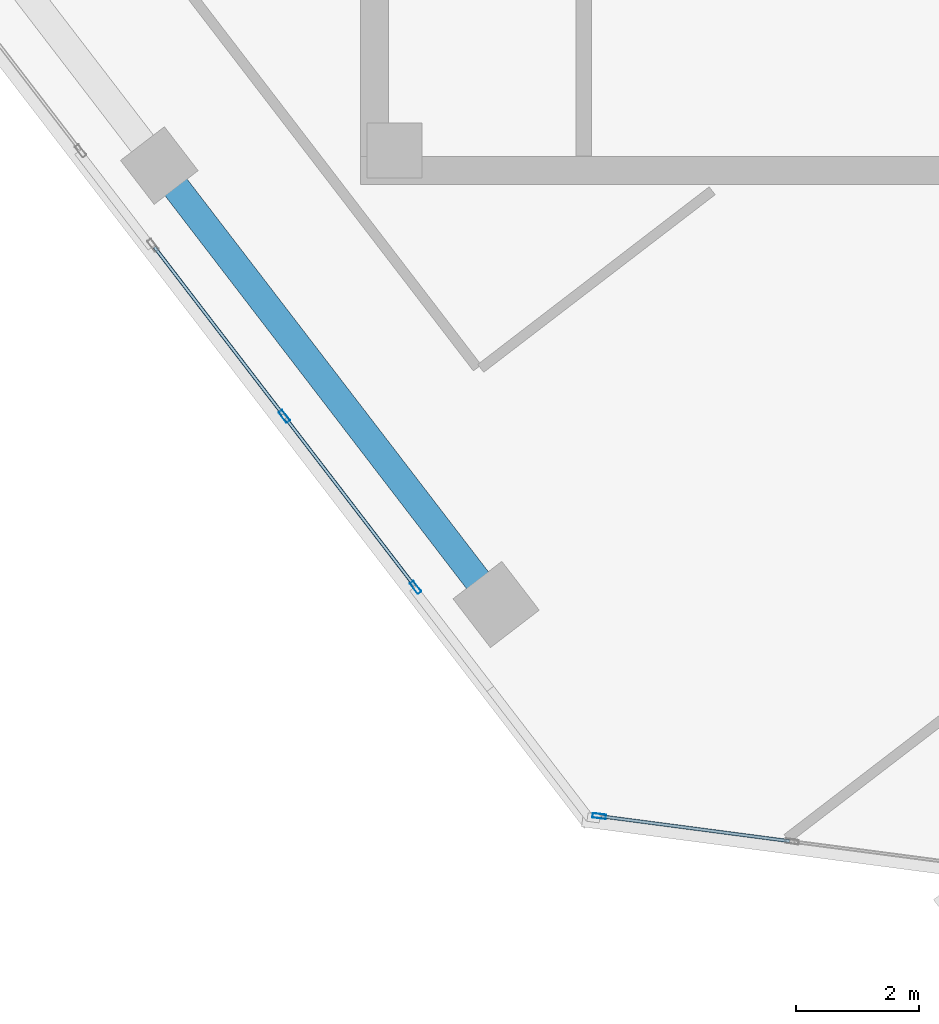
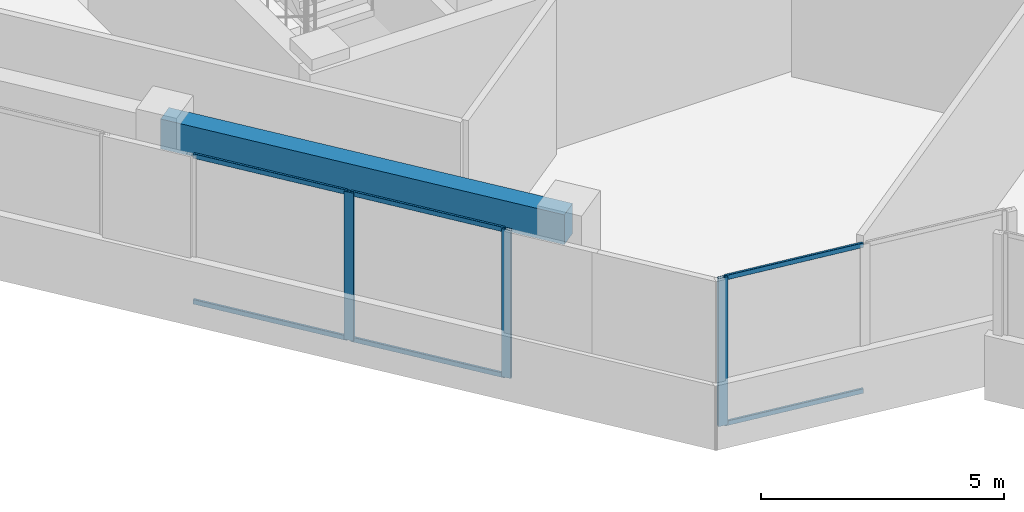
# One storey, part 2 of 17: 9 members, 1 beam, 2 elements without a shape of their own.
"""IFC4 building model written with IfcOpenShell, lengths in metres."""

from ifc_helpers import new_model, si_unit, direction, frame, origin, origin_2d, place, context, subcontext, project, spatial, rectangle, hollow_rectangle, extrude, source, transform, mapped, material, material_profile, profile_set, type_object, element, aggregate, save


model = new_model("IFC4")

# Units and contexts
model_context = context("Model", 3, precision=1e-05, world=origin(), true_north=direction((0.0, 1.0)))
body_context = subcontext(model_context, "Body", "Model", "MODEL_VIEW")
ifc_project = project(units=[si_unit("LENGTHUNIT", "METRE"), si_unit("AREAUNIT", "SQUARE_METRE"), si_unit("VOLUMEUNIT", "CUBIC_METRE"), si_unit("PLANEANGLEUNIT", "RADIAN"), si_unit("MASSUNIT", "GRAM", prefix="KILO")], contexts=[model_context])

# Site, building, storey
site_placement = place(None, origin())
site = spatial("IfcSite", under=ifc_project, at=site_placement, CompositionType="ELEMENT")
building_placement = place(site_placement, origin())
building = spatial("IfcBuilding", under=site, at=building_placement, Name="Torre Montelarca", CompositionType="ELEMENT")
storey_placement = place(building_placement, frame((0.0, 0.0, 283.60009765625)))
storey = spatial("IfcBuildingStorey", under=building, at=storey_placement, Name="L64", CompositionType="ELEMENT", Elevation=283.60009765625)

# Beam
ifc_material_1 = material(Name="Concrete C55/67", Category="concrete")
ifc_material_profile_1 = material_profile(ifc_material_1, rectangle(XDim=0.449951171875, YDim=0.75, at=origin_2d()), Name="RCB450X750", Category="concrete")
ifc_profile_set_1 = profile_set([ifc_material_profile_1], Name="Concrete C55/67")
beam_type = type_object("IfcBeamType", Name="BM-SP-RC750-EXT", PredefinedType="SPANDREL", material=ifc_profile_set_1)
shared_shape_1 = source(origin(), body_context, "Body", "SweptSolid", [
    extrude(rectangle(XDim=0.449951171875, YDim=0.75, at=origin_2d()), origin(), (0.0, 0.0, 1.0), 8.999755859375),
])
beam_placement = place(storey_placement, frame((5.7236328125, 24.305908203125, 3.544921875), z_axis=(0.608770345828, -0.793346498095, 0.0), x_axis=(0.793346498095, 0.608770345828, 0.0)))
element("IfcBeam", 1, at=beam_placement, inside=storey, type_object=beam_type, Name="L64 Grid Girder X 18.0-27.0 at Y=14.8", PredefinedType="SPANDREL", context=body_context, shape_type="MappedRepresentation", body=[
    mapped(shared_shape_1, transform((0.0, 0.0, 0.0), scale=1.0)),
])

# Curtain wall, members
ifc_material_2 = material(Name="Insulated low-E laminated glass", Category="glass")
curtain_wall_type = type_object("IfcCurtainWallType", Name="CW-SYS-Z3", PredefinedType="USERDEFINED", material=ifc_material_2)
curtain_wall_1_placement = place(storey_placement, origin())
curtain_wall_1 = element("IfcCurtainWall", 2, at=curtain_wall_1_placement, inside=storey, type_object=curtain_wall_type, Name="L64 Curtain Wall Run CW-T3-L64-E02-B1", ObjectType="UNITISED GLAZING", PredefinedType="USERDEFINED")
ifc_material_3 = material(Name="Anodised aluminium AA 6063-T6", Category="aluminium")
ifc_material_profile_2 = material_profile(ifc_material_3, hollow_rectangle(XDim=0.054931640625, YDim=0.1201171875, WallThickness=0.00341796875, InnerFilletRadius=0.00341796875, OuterFilletRadius=0.007080078125, at=origin_2d()), Name="ALU55X120X3.5", Category="aluminium")
ifc_profile_set_2 = profile_set([ifc_material_profile_2], Name="Anodised aluminium AA 6063-T6")
member_type_1 = type_object("IfcMemberType", Name="CWT-ALU120", PredefinedType="USERDEFINED", material=ifc_profile_set_2)
shared_shape_2 = source(origin(), body_context, "Body", "SweptSolid", [
    extrude(hollow_rectangle(XDim=0.054931640625, YDim=0.1201171875, WallThickness=0.00341796875, InnerFilletRadius=0.00341796875, OuterFilletRadius=0.007080078125, at=origin_2d()), origin(), (0.0, 0.0, 1.0), 3.08740234375),
])
member_1_placement = place(storey_placement, frame((12.91748046875, 13.718994140625, 0.02734375), z_axis=(0.99145160385, -0.130474967806, 0.0), x_axis=(0.130474967806, 0.99145160385, 0.0)))
member_1 = element("IfcMember", 3, at=member_1_placement, type_object=member_type_1, Name="CW transom 1.1", ObjectType="TRANSOM", PredefinedType="USERDEFINED", context=body_context, shape_type="MappedRepresentation", body=[
    mapped(shared_shape_2, transform((0.0, 0.0, 0.0), scale=1.0)),
])
member_2_placement = place(storey_placement, frame((12.91748046875, 13.718994140625, 3.6923828125), z_axis=(0.99145160385, -0.130474967806, 0.0), x_axis=(0.130474967806, 0.99145160385, 0.0)))
member_2 = element("IfcMember", 4, at=member_2_placement, type_object=member_type_1, Name="CW transom 1.2", ObjectType="TRANSOM", PredefinedType="USERDEFINED", context=body_context, shape_type="MappedRepresentation", body=[
    mapped(shared_shape_2, transform((0.0, 0.0, 0.0), scale=1.0)),
])

curtain_wall_2_placement = place(storey_placement, origin())
curtain_wall_2 = element("IfcCurtainWall", 5, at=curtain_wall_2_placement, inside=storey, type_object=curtain_wall_type, Name="L64 Curtain Wall Run CW-T3-L64-E01-B2", ObjectType="UNITISED GLAZING", PredefinedType="USERDEFINED")
ifc_material_profile_3 = material_profile(ifc_material_3, hollow_rectangle(XDim=0.074951171875, YDim=0.219970703125, WallThickness=0.0048828125, InnerFilletRadius=0.0048828125, OuterFilletRadius=0.010009765625, at=origin_2d()), Name="ALU75X220X5", Category="aluminium")
ifc_profile_set_3 = profile_set([ifc_material_profile_3], Name="Anodised aluminium AA 6063-T6")
member_type_2 = type_object("IfcMemberType", Name="CWM-ALU220", PredefinedType="MULLION", material=ifc_profile_set_3)
shared_shape_3 = source(origin(), body_context, "Body", "SweptSolid", [
    extrude(hollow_rectangle(XDim=0.074951171875, YDim=0.219970703125, WallThickness=0.0048828125, InnerFilletRadius=0.0048828125, OuterFilletRadius=0.010009765625, at=origin_2d()), origin(), (0.0, 0.0, 1.0), 3.719970703125),
])
member_3_placement = place(storey_placement, frame((7.757568359375, 20.226318359375, 0.0), z_axis=(0.0, 0.0, 1.0), x_axis=(0.793350672852, 0.608764905268, 0.0)))
member_3 = element("IfcMember", 6, at=member_3_placement, type_object=member_type_2, Name="CW mullion 2", PredefinedType="MULLION", context=body_context, shape_type="MappedRepresentation", body=[
    mapped(shared_shape_3, transform((0.0, 0.0, 0.0), scale=1.0)),
])
member_4_placement = place(storey_placement, frame((9.892822265625, 17.443603515625, 0.0), z_axis=(0.0, 0.0, 1.0), x_axis=(0.793350672852, 0.608764905268, 0.0)))
member_4 = element("IfcMember", 7, at=member_4_placement, type_object=member_type_2, Name="CW mullion 3", PredefinedType="MULLION", context=body_context, shape_type="MappedRepresentation", body=[
    mapped(shared_shape_3, transform((0.0, 0.0, 0.0), scale=1.0)),
])

# Member
member_5_placement = place(storey_placement, frame((12.880126953125, 13.72412109375, 0.0), z_axis=(0.0, 0.0, 1.0), x_axis=(0.130514735715, 0.991446369584, 0.0)))
member_5 = element("IfcMember", 8, at=member_5_placement, type_object=member_type_2, Name="CW mullion 1", PredefinedType="MULLION", context=body_context, shape_type="MappedRepresentation", body=[
    mapped(shared_shape_3, transform((0.0, 0.0, 0.0), scale=1.0)),
])

aggregate(curtain_wall_1, [member_5, member_1, member_2])

shared_shape_4 = source(origin(), body_context, "Body", "SweptSolid", [
    extrude(hollow_rectangle(XDim=0.054931640625, YDim=0.1201171875, WallThickness=0.00341796875, InnerFilletRadius=0.00341796875, OuterFilletRadius=0.007080078125, at=origin_2d()), origin(), (0.0, 0.0, 1.0), 3.432373046875),
])
member_6_placement = place(storey_placement, frame((5.645263671875, 22.97900390625, 0.02734375), z_axis=(0.608771939344, -0.793345275317, 0.0), x_axis=(0.793345275317, 0.608771939344, 0.0)))
member_6 = element("IfcMember", 9, at=member_6_placement, type_object=member_type_1, Name="CW transom 1.1", ObjectType="TRANSOM", PredefinedType="USERDEFINED", context=body_context, shape_type="MappedRepresentation", body=[
    mapped(shared_shape_4, transform((0.0, 0.0, 0.0), scale=1.0)),
])

member_7_placement = place(storey_placement, frame((5.645263671875, 22.97900390625, 3.6923828125), z_axis=(0.608771939344, -0.793345275317, 0.0), x_axis=(0.793345275317, 0.608771939344, 0.0)))
member_7 = element("IfcMember", 10, at=member_7_placement, type_object=member_type_1, Name="CW transom 1.2", ObjectType="TRANSOM", PredefinedType="USERDEFINED", context=body_context, shape_type="MappedRepresentation", body=[
    mapped(shared_shape_4, transform((0.0, 0.0, 0.0), scale=1.0)),
])

member_8_placement = place(storey_placement, frame((7.780517578125, 20.196533203125, 0.02734375), z_axis=(0.608771939344, -0.793345275317, 0.0), x_axis=(0.793345275317, 0.608771939344, 0.0)))
member_8 = element("IfcMember", 11, at=member_8_placement, type_object=member_type_1, Name="CW transom 2.1", ObjectType="TRANSOM", PredefinedType="USERDEFINED", context=body_context, shape_type="MappedRepresentation", body=[
    mapped(shared_shape_4, transform((0.0, 0.0, 0.0), scale=1.0)),
])

member_9_placement = place(storey_placement, frame((7.780517578125, 20.196533203125, 3.6923828125), z_axis=(0.608771939344, -0.793345275317, 0.0), x_axis=(0.793345275317, 0.608771939344, 0.0)))
member_9 = element("IfcMember", 12, at=member_9_placement, type_object=member_type_1, Name="CW transom 2.2", ObjectType="TRANSOM", PredefinedType="USERDEFINED", context=body_context, shape_type="MappedRepresentation", body=[
    mapped(shared_shape_4, transform((0.0, 0.0, 0.0), scale=1.0)),
])

aggregate(curtain_wall_2, [member_3, member_4, member_6, member_7, member_8, member_9])

save(model, "model.ifc")
